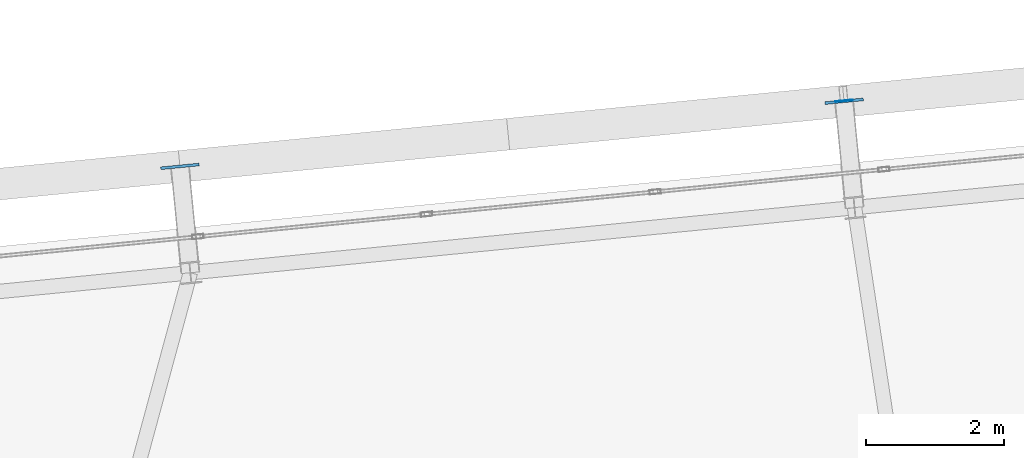
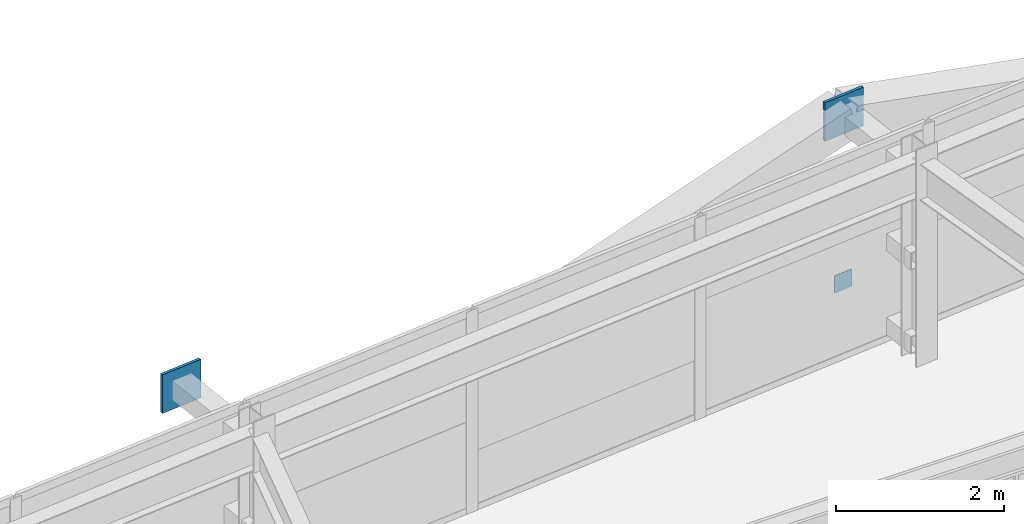
# One storey, part 44 of 53: 3 plates.
"""IFC4 building model written with IfcOpenShell, lengths in metres."""

import ifcopenshell
import ifcopenshell.guid

model = None  # the IFC model being written
_history = None  # IfcOwnerHistory: only IFC2X3 demands one
_inside = {}  # id of a spatial element -> (the spatial element, [elements in it])
_under = {}  # id of a project, library or spatial element -> (it, [spatial elements below it])
_declared = {}  # id of a project -> (the project, [libraries it declares])
_typed = {}  # id of a type object -> (the type object, [elements of that type])
_made_of = {}  # id of a material, layer set ... -> (it, [elements and type objects made of it])


def new_model(schema):
    """Start an empty IFC model of exactly this schema.

    Asked for "IFC4X3", IfcOpenShell would pick the latest addendum, in which some entities
    have other attributes; the version numbers below select the first issue.
    IFC2X3 requires an IfcOwnerHistory on every rooted entity: one is made here for all.
    """
    global model, _history
    if schema == "IFC4X3":
        model = ifcopenshell.file(schema_version=(4, 3, 0, 0))
    else:
        model = ifcopenshell.file(schema=schema)
    _inside.clear()
    _under.clear()
    _declared.clear()
    _typed.clear()
    _made_of.clear()
    _history = None
    if model.schema == "IFC2X3":
        org = make("IfcOrganization", Name="unknown")
        user = make(
            "IfcPersonAndOrganization",
            ThePerson=make("IfcPerson", FamilyName="unknown"),
            TheOrganization=org,
        )
        app = make(
            "IfcApplication",
            ApplicationDeveloper=org,
            Version="unknown",
            ApplicationFullName="unknown",
            ApplicationIdentifier="unknown",
        )
        _history = make(
            "IfcOwnerHistory",
            OwningUser=user,
            OwningApplication=app,
            ChangeAction="ADDED",
            CreationDate=0,
        )
    return model


def make(cls, **values):
    """One entity of the class cls with the attributes given. An attribute that is None is left unset."""
    return model.create_entity(
        cls, **{name: value for name, value in values.items() if value is not None}
    )


def rooted(cls, **values):
    """An entity with a GlobalId (a new one), such as an element, a storey or a relation."""
    return make(cls, GlobalId=ifcopenshell.guid.new(), OwnerHistory=_history, **values)


def si_unit(unit_type, name, prefix=None):
    """IfcSIUnit, for example si_unit("LENGTHUNIT", "METRE", prefix="MILLI")."""
    return make("IfcSIUnit", UnitType=unit_type, Prefix=prefix, Name=name)


def assignment(units):
    """IfcUnitAssignment: the units of a project."""
    return None if units is None else make("IfcUnitAssignment", Units=units)


def point(xyz):
    """IfcCartesianPoint."""
    return None if xyz is None else make("IfcCartesianPoint", Coordinates=xyz)


def direction(xyz):
    """IfcDirection."""
    return None if xyz is None else make("IfcDirection", DirectionRatios=xyz)


def frame(location, z_axis=None, x_axis=None):
    """IfcAxis2Placement3D, a coordinate frame: its origin and axes. An axis left out is left unset."""
    return make(
        "IfcAxis2Placement3D",
        Location=point(location),
        Axis=direction(z_axis),
        RefDirection=direction(x_axis),
    )


def frame_2d(location, x_axis=None):
    """IfcAxis2Placement2D, a coordinate frame in the plane: its origin and x axis."""
    return make(
        "IfcAxis2Placement2D", Location=point(location), RefDirection=direction(x_axis)
    )


def origin():
    """The frame at (0, 0, 0) with its axes left unset."""
    return frame((0.0, 0.0, 0.0))


def origin_2d():
    """The frame at (0, 0) in the plane with its x axis left unset."""
    return frame_2d((0.0, 0.0))


def place(relative_to, where):
    """IfcLocalPlacement: puts the frame where relative to a parent placement (None: the world)."""
    return make(
        "IfcLocalPlacement", PlacementRelTo=relative_to, RelativePlacement=where
    )


def context(
    kind, dimensions, precision=None, world=None, true_north=None, identifier=None
):
    """IfcGeometricRepresentationContext, for example the 3D "Model" context."""
    return make(
        "IfcGeometricRepresentationContext",
        ContextIdentifier=identifier,
        ContextType=kind,
        CoordinateSpaceDimension=dimensions,
        Precision=precision,
        WorldCoordinateSystem=world,
        TrueNorth=true_north,
    )


def subcontext(parent, identifier, kind, view, scale=None):
    """IfcGeometricRepresentationSubContext, for example "Body" below "Model"."""
    return make(
        "IfcGeometricRepresentationSubContext",
        ContextIdentifier=identifier,
        ContextType=kind,
        ParentContext=parent,
        TargetScale=scale,
        TargetView=view,
    )


def project(units=None, contexts=None):
    """IfcProject with its units and contexts."""
    return rooted(
        "IfcProject",
        Name="project",
        RepresentationContexts=contexts,
        UnitsInContext=assignment(units),
    )


def spatial(cls, under=None, at=None, **own):
    """A site, building, storey or space (cls), placed at a placement, below another one or the project."""
    s = rooted(cls, ObjectPlacement=at, **own)
    if under is not None:
        _under.setdefault(under.id(), (under, []))[1].append(s)
    return s


def profile(cls, at=None, kind="AREA", **sizes):
    """A parametric profile (cls). Its sizes go by their IFC names, for example OverallWidth=200.0."""
    return make(cls, ProfileType=kind, Position=at, **sizes)


def rectangle(**sizes):
    """IfcRectangleProfileDef."""
    return profile("IfcRectangleProfileDef", **sizes)


def extrude(swept, where, along, depth):
    """IfcExtrudedAreaSolid: the profile swept, set in the frame where, extruded along a direction by depth."""
    return make(
        "IfcExtrudedAreaSolid",
        SweptArea=swept,
        Position=where,
        ExtrudedDirection=direction(along),
        Depth=depth,
    )


def shape(context_of_items, identifier, shape_type, items):
    """IfcShapeRepresentation: the items that make up one representation, for example the "Body"."""
    return make(
        "IfcShapeRepresentation",
        ContextOfItems=context_of_items,
        RepresentationIdentifier=identifier,
        RepresentationType=shape_type,
        Items=items,
    )


def source(mapping_origin, context_of_items, identifier, shape_type, items):
    """IfcRepresentationMap: a shape defined once, which mapped items show again and again."""
    return make(
        "IfcRepresentationMap",
        MappingOrigin=mapping_origin,
        MappedRepresentation=shape(context_of_items, identifier, shape_type, items),
    )


def transform(
    local_origin,
    x_axis=None,
    y_axis=None,
    z_axis=None,
    scale=None,
    scale2=None,
    scale3=None,
    uniform=True,
):
    """IfcCartesianTransformationOperator3D, or its non-uniform kind. x_axis, y_axis, z_axis: its Axis1, 2, 3."""
    if uniform:
        return make(
            "IfcCartesianTransformationOperator3D",
            Axis1=direction(x_axis),
            Axis2=direction(y_axis),
            LocalOrigin=point(local_origin),
            Scale=scale,
            Axis3=direction(z_axis),
        )
    return make(
        "IfcCartesianTransformationOperator3DnonUniform",
        Axis1=direction(x_axis),
        Axis2=direction(y_axis),
        LocalOrigin=point(local_origin),
        Scale=scale,
        Axis3=direction(z_axis),
        Scale2=scale2,
        Scale3=scale3,
    )


def mapped(mapping_source, mapping_target):
    """IfcMappedItem: shows the shape of a source again, moved by a transform."""
    return make(
        "IfcMappedItem", MappingSource=mapping_source, MappingTarget=mapping_target
    )


def material(Name=None, Category=None):
    """IfcMaterial."""
    return make("IfcMaterial", Name=Name, Category=Category)


def layer(
    of_material, thickness, ventilated=None, Name=None, Category=None, Priority=None
):
    """IfcMaterialLayer: one layer of a wall or slab, of a material (None: an air gap)."""
    return make(
        "IfcMaterialLayer",
        Material=of_material,
        LayerThickness=thickness,
        IsVentilated=ventilated,
        Name=Name,
        Category=Category,
        Priority=Priority,
    )


def layer_set(layers, Name=None):
    """IfcMaterialLayerSet."""
    return make("IfcMaterialLayerSet", MaterialLayers=layers, LayerSetName=Name)


def made_of(thing, what):
    """Note that an element or type object is made of a material, layer set ...; save() writes the relation."""
    if what is not None:
        _made_of.setdefault(what.id(), (what, []))[1].append(thing)
    return thing


def type_object(cls, material=None, **own):
    """A type object (cls), such as IfcWallType, which elements share."""
    return made_of(rooted(cls, **own), material)


def element(
    cls,
    number,
    at=None,
    inside=None,
    cuts=None,
    type_object=None,
    material=None,
    context=None,
    identifier="Body",
    shape_type=None,
    held_by="IfcProductDefinitionShape",
    body=None,
    shapes=None,
    **own,
):
    """One element of the class cls, such as IfcWall. Its Tag is "e" and its number.

    at: its placement. inside: the storey or other place that contains it. cuts: it is an
    opening in that element (IfcRelVoidsElement). A single representation is given by context,
    identifier, shape_type and body (its items); several are given by shapes. held_by: the class
    of the entity that holds the representations. save() writes the other relations.
    """
    e = rooted(cls, Tag="e%d" % number, ObjectPlacement=at, **own)
    if body is not None:
        shapes = [shape(context, identifier, shape_type, body)]
    if shapes is not None:
        e.Representation = make(held_by, Representations=shapes)
    if inside is not None:
        _inside.setdefault(inside.id(), (inside, []))[1].append(e)
    if cuts is not None:
        rooted(
            "IfcRelVoidsElement", RelatingBuildingElement=cuts, RelatedOpeningElement=e
        )
    if type_object is not None:
        _typed.setdefault(type_object.id(), (type_object, []))[1].append(e)
    return made_of(e, material)


def aggregate(whole, parts):
    """IfcRelAggregates: a whole, such as a stair, and the parts it consists of."""
    return rooted("IfcRelAggregates", RelatingObject=whole, RelatedObjects=parts)


def save(model, path):
    """Write the relations noted so far, then the file.

    IfcRelAggregates (storeys below a building ...), IfcRelContainedInSpatialStructure (elements
    in a storey), IfcRelDefinesByType, IfcRelAssociatesMaterial and IfcRelDeclares: one each for
    every whole, place, type object, material and project.
    """
    for whole, parts in _under.values():
        aggregate(whole, parts)
    for where, things in _inside.values():
        rooted(
            "IfcRelContainedInSpatialStructure",
            RelatedElements=things,
            RelatingStructure=where,
        )
    for kind, things in _typed.values():
        rooted("IfcRelDefinesByType", RelatedObjects=things, RelatingType=kind)
    for what, things in _made_of.values():
        rooted("IfcRelAssociatesMaterial", RelatedObjects=things, RelatingMaterial=what)
    for by, libraries in _declared.values():
        rooted("IfcRelDeclares", RelatingContext=by, RelatedDefinitions=libraries)
    model.write(path)


model = new_model("IFC4")

# Units and contexts
model_context = context("Model", 3, precision=1e-05, world=origin(), true_north=direction((0.0, 1.0)))
body_context = subcontext(model_context, "Body", "Model", "MODEL_VIEW")
ifc_project = project(units=[si_unit("LENGTHUNIT", "METRE"), si_unit("AREAUNIT", "SQUARE_METRE"), si_unit("VOLUMEUNIT", "CUBIC_METRE"), si_unit("PLANEANGLEUNIT", "RADIAN"), si_unit("MASSUNIT", "GRAM", prefix="KILO")], contexts=[model_context])

# Site, building, storey
site_placement = place(None, origin())
site = spatial("IfcSite", under=ifc_project, at=site_placement, CompositionType="ELEMENT")
building_placement = place(site_placement, origin())
building = spatial("IfcBuilding", under=site, at=building_placement, Name="Taldren Reach Tower", CompositionType="ELEMENT")
storey_placement = place(building_placement, frame((0.0, 0.0, 84.0)))
storey = spatial("IfcBuildingStorey", under=building, at=storey_placement, Name="L25", CompositionType="ELEMENT", Elevation=84.0)

# Plates
ifc_material_1 = material(Name="Steel Gr 450 (C450L0)", Category="steel")
ifc_layer_1 = layer(ifc_material_1, 0.0400390625)
ifc_layer_set_1 = layer_set([ifc_layer_1], Name="Steel Gr 450 (C450L0)")
plate_type_1 = type_object("IfcPlateType", Name="PL-GUSSET-40", PredefinedType="SHEET", material=ifc_layer_set_1)
shared_shape_1 = source(origin(), body_context, "Body", "SweptSolid", [
    extrude(rectangle(XDim=0.56005859375, YDim=0.0400390625, at=origin_2d()), origin(), (0.0, 0.0, 1.0), 0.56005859375),
])
for number, where, z_axis, x_axis, name in (
    (1, (40.346923828125, 38.333251953125, 2.369873046875), (0.0, 0.0, 1.0), (0.995227399982, 0.097582899759, 0.0), "Exoskeleton star-node gusset plate B2-N4 L25"),
    (2, (49.980712890625, 39.27783203125, 2.369873046875), (0.0, 0.0, 1.0), (0.995227399982, 0.097582899759, 0.0), "Exoskeleton star-node gusset plate B2-N5 L25"),
):
    element("IfcPlate", number, at=place(storey_placement, frame(where, z_axis=z_axis, x_axis=x_axis)), inside=storey, type_object=plate_type_1, Name=name, PredefinedType="SHEET", context=body_context, shape_type="MappedRepresentation", body=[
        mapped(shared_shape_1, transform((0.0, 0.0, 0.0), scale=1.0)),
    ])
ifc_material_2 = material(Name="Steel Gr 350 (C350L0)", Category="steel")
ifc_layer_2 = layer(ifc_material_2, 0.011962890625)
ifc_layer_set_2 = layer_set([ifc_layer_2], Name="Steel Gr 350 (C350L0)")
plate_type_2 = type_object("IfcPlateType", Name="PL-CAP-250", PredefinedType="SHEET", material=ifc_layer_set_2)
shared_shape_2 = source(origin(), body_context, "Body", "SweptSolid", [
    extrude(rectangle(XDim=0.25, YDim=0.011962890625, at=origin_2d()), origin(), (0.0, 0.0, 1.0), 0.25),
])
plate_placement = place(storey_placement, frame((49.980224609375, 39.283935546875, 0.094970703125), z_axis=(0.0, 0.0, 1.0), x_axis=(0.995227399982, 0.097582899759, 0.0)))
element("IfcPlate", 3, at=plate_placement, inside=storey, type_object=plate_type_2, Name="Tie strut end cap plate B2-N5 L25", PredefinedType="SHEET", context=body_context, shape_type="MappedRepresentation", body=[
    mapped(shared_shape_2, transform((0.0, 0.0, 0.0), scale=1.0)),
])

save(model, "model.ifc")
